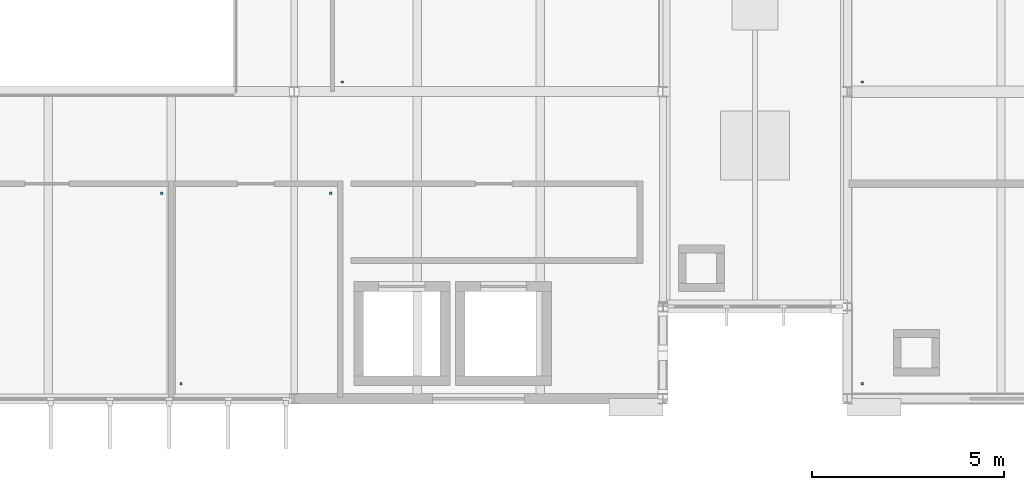
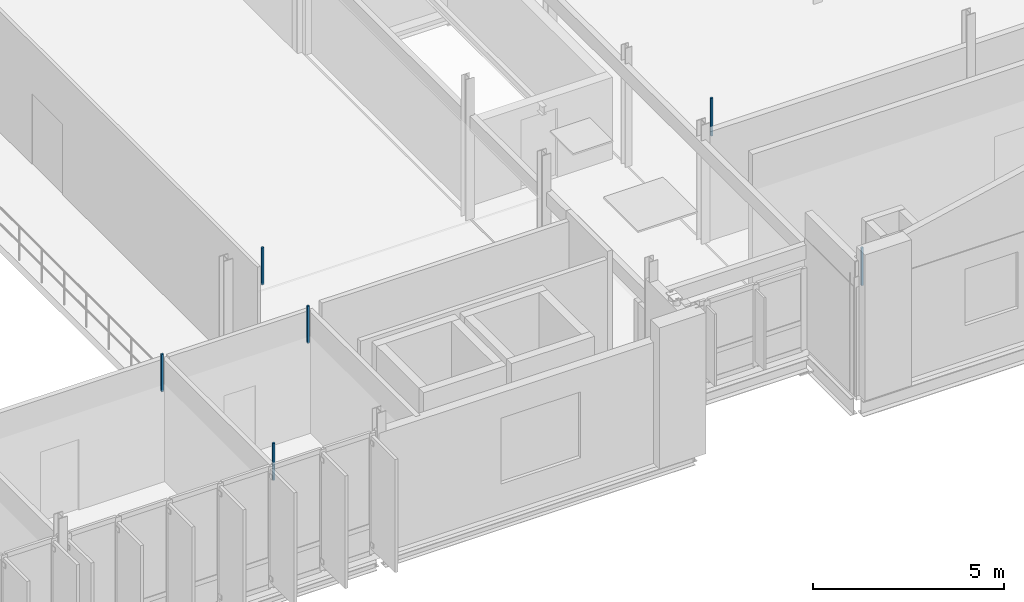
# One storey, part 46 of 59: 6 discrete accessories.
"""IFC4 building model written with IfcOpenShell, lengths in metres."""

from ifc_helpers import new_model, si_unit, direction, frame, origin, place, context, subcontext, project, spatial, polyline, outline, extrude, material, type_object, element, save


model = new_model("IFC4")

# Units and contexts
model_context = context("Model", 3, precision=1e-05, world=origin(), true_north=direction((0.0, 1.0)))
body_context = subcontext(model_context, "Body", "Model", "MODEL_VIEW")
ifc_project = project(units=[si_unit("LENGTHUNIT", "METRE"), si_unit("AREAUNIT", "SQUARE_METRE"), si_unit("VOLUMEUNIT", "CUBIC_METRE"), si_unit("PLANEANGLEUNIT", "RADIAN"), si_unit("MASSUNIT", "GRAM", prefix="KILO")], contexts=[model_context])

# Site, building, storey
site_placement = place(None, origin())
site = spatial("IfcSite", under=ifc_project, at=site_placement, CompositionType="ELEMENT")
building_placement = place(site_placement, origin())
building = spatial("IfcBuilding", under=site, at=building_placement, Name="Dunescarp Central Library", CompositionType="ELEMENT")
storey_placement = place(building_placement, frame((0.0, 0.0, 18.60009765625)))
storey = spatial("IfcBuildingStorey", under=building, at=storey_placement, Name="L04", CompositionType="ELEMENT", Elevation=18.60009765625)

# Discrete accessories
ifc_material = material(Name="Stainless steel Grade 316L", Category="steel")
discrete_accessory_type = type_object("IfcDiscreteAccessoryType", Name="ARC-ACC-BRK", PredefinedType="BRACKET", material=ifc_material)
discrete_accessory_1_placement = place(storey_placement, frame((0.0, 0.0, 3.059814453125)))
element("IfcDiscreteAccessory", 1, at=discrete_accessory_1_placement, inside=storey, type_object=discrete_accessory_type, Name="L04 ceiling hanger CLG-L04-075-H1", PredefinedType="BRACKET", context=body_context, shape_type="SweptSolid", body=[
    extrude(outline(polyline([(64.219970703125, 5.159912109375), (64.280029296875, 5.159912109375), (64.280029296875, 5.219970703125), (64.219970703125, 5.219970703125), (64.219970703125, 5.159912109375)])), origin(), (0.0, 0.0, 1.0), 1.18017578125),
])
discrete_accessory_2_placement = place(storey_placement, frame((0.0, 0.0, 3.059814453125)))
element("IfcDiscreteAccessory", 2, at=discrete_accessory_2_placement, inside=storey, type_object=discrete_accessory_type, Name="L04 ceiling hanger CLG-L04-075-H2", PredefinedType="BRACKET", context=body_context, shape_type="SweptSolid", body=[
    extrude(outline(polyline([(68.1201171875, 10.1201171875), (68.179931640625, 10.1201171875), (68.179931640625, 10.179931640625), (68.1201171875, 10.179931640625), (68.1201171875, 10.1201171875)])), origin(), (0.0, 0.0, 1.0), 1.18017578125),
])
discrete_accessory_3_placement = place(storey_placement, frame((0.0, 0.0, 3.059814453125)))
element("IfcDiscreteAccessory", 3, at=discrete_accessory_3_placement, inside=storey, type_object=discrete_accessory_type, Name="L04 ceiling hanger CLG-L04-078-H2", PredefinedType="BRACKET", context=body_context, shape_type="SweptSolid", body=[
    extrude(outline(polyline([(63.719970703125, 10.1201171875), (63.780029296875, 10.1201171875), (63.780029296875, 10.179931640625), (63.719970703125, 10.179931640625), (63.719970703125, 10.1201171875)])), origin(), (0.0, 0.0, 1.0), 1.18017578125),
])
discrete_accessory_4_placement = place(storey_placement, frame((0.0, 0.0, 3.059814453125)))
element("IfcDiscreteAccessory", 4, at=discrete_accessory_4_placement, inside=storey, type_object=discrete_accessory_type, Name="L04 ceiling hanger CLG-L04-080-H1", PredefinedType="BRACKET", context=body_context, shape_type="SweptSolid", body=[
    extrude(outline(polyline([(68.419921875, 13.02001953125), (68.47998046875, 13.02001953125), (68.47998046875, 13.080078125), (68.419921875, 13.080078125), (68.419921875, 13.02001953125)])), origin(), (0.0, 0.0, 1.0), 1.18017578125),
])
discrete_accessory_5_placement = place(storey_placement, frame((0.0, 0.0, 3.059814453125)))
element("IfcDiscreteAccessory", 5, at=discrete_accessory_5_placement, inside=storey, type_object=discrete_accessory_type, Name="L04 ceiling hanger CLG-L04-110-H1", PredefinedType="BRACKET", context=body_context, shape_type="SweptSolid", body=[
    extrude(outline(polyline([(81.9599609375, 5.159912109375), (82.02001953125, 5.159912109375), (82.02001953125, 5.219970703125), (81.9599609375, 5.219970703125), (81.9599609375, 5.159912109375)])), origin(), (0.0, 0.0, 1.0), 1.2060546875),
])
discrete_accessory_6_placement = place(storey_placement, frame((0.0, 0.0, 3.059814453125)))
element("IfcDiscreteAccessory", 6, at=discrete_accessory_6_placement, inside=storey, type_object=discrete_accessory_type, Name="L04 ceiling hanger CLG-L04-112-H1", PredefinedType="BRACKET", context=body_context, shape_type="SweptSolid", body=[
    extrude(outline(polyline([(81.9599609375, 13.02001953125), (82.02001953125, 13.02001953125), (82.02001953125, 13.080078125), (81.9599609375, 13.080078125), (81.9599609375, 13.02001953125)])), origin(), (0.0, 0.0, 1.0), 1.2060546875),
])

save(model, "model.ifc")
